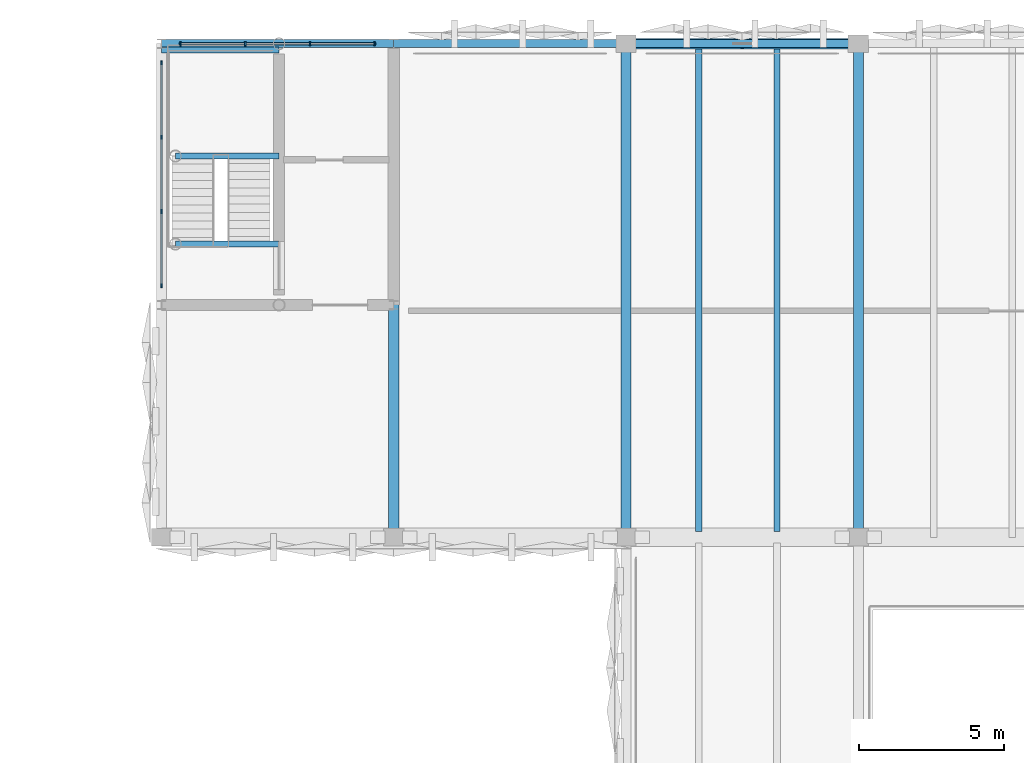
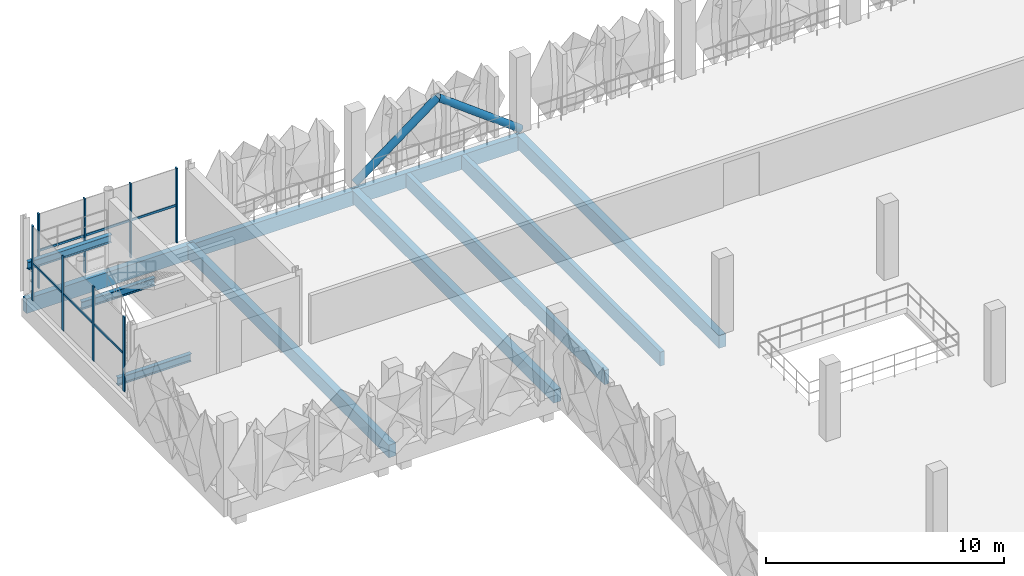
# One storey, part 9 of 52: 12 members, 11 beams, 2 elements without a shape of their own.
"""IFC4 building model written with IfcOpenShell, lengths in metres."""

from ifc_helpers import new_model, si_unit, derived_unit, direction, frame, origin, origin_2d, place, context, subcontext, project, spatial, rectangle, hollow_circle, i_section, extrude, material, layer, layer_set, material_profile, profile_set, type_object, element, aggregate, save


model = new_model("IFC4")

# Units and contexts
model_context = context("Model", 3, precision=1e-05, world=origin(), true_north=direction((0.0, 1.0)))
body_context = subcontext(model_context, "Body", "Model", "MODEL_VIEW")
ifc_project = project(units=[si_unit("LENGTHUNIT", "METRE"), si_unit("AREAUNIT", "SQUARE_METRE"), si_unit("VOLUMEUNIT", "CUBIC_METRE"), si_unit("PLANEANGLEUNIT", "RADIAN"), si_unit("MASSUNIT", "GRAM", prefix="KILO"), si_unit("THERMODYNAMICTEMPERATUREUNIT", "KELVIN"), derived_unit("THERMALTRANSMITTANCEUNIT", [(si_unit("POWERUNIT", "WATT"), 1), (si_unit("AREAUNIT", "SQUARE_METRE"), -1), (si_unit("THERMODYNAMICTEMPERATUREUNIT", "KELVIN"), -1)])], contexts=[model_context])

# Site, building, storey
site_placement = place(None, origin())
site = spatial("IfcSite", under=ifc_project, at=site_placement, CompositionType="ELEMENT")
building_placement = place(site_placement, origin())
building = spatial("IfcBuilding", under=site, at=building_placement, Name="Haiyu Intermodal Mobility Hub", CompositionType="ELEMENT")
storey_placement = place(building_placement, frame((0.0, 0.0, 21.199951171875)))
storey = spatial("IfcBuildingStorey", under=building, at=storey_placement, Name="L05", CompositionType="ELEMENT", Elevation=21.199951171875)

# Beams
ifc_material_1 = material(Name="Concrete C40", Category="concrete")
ifc_material_profile_1 = material_profile(ifc_material_1, rectangle(XDim=0.35009765625, YDim=0.64990234375, at=origin_2d()), Name="RCB350x650")
ifc_profile_set_1 = profile_set([ifc_material_profile_1], Name="Concrete C40")
beam_type_1 = type_object("IfcBeamType", Name="BM-CB04", PredefinedType="BEAM", material=ifc_profile_set_1)
for number, where, z_axis, x_axis, name in (
    (1, (30.0, 131.0, -0.599853515625), (0.0, 1.0, 0.0), (-1.0, 0.0, 0.0), "BM-V4E-L05-002"),
    (2, (38.0, 131.0, -0.599853515625), (0.0, 1.0, 0.0), (-1.0, 0.0, 0.0), "BM-V4E-L05-005"),
    (3, (46.0, 131.0, -0.599853515625), (0.0, 1.0, 0.0), (-1.0, 0.0, 0.0), "BM-V4E-L05-008"),
):
    element("IfcBeam", number, at=place(storey_placement, frame(where, z_axis=z_axis, x_axis=x_axis)), inside=storey, type_object=beam_type_1, Name=name, PredefinedType="BEAM", context=body_context, shape_type="SweptSolid", body=[
        extrude(rectangle(XDim=0.35009765625, YDim=0.64990234375, at=origin_2d()), origin(), (0.0, 0.0, 1.0), 17.0),
    ])
ifc_material_2 = material(Name="Precast concrete C50", Category="concrete")
ifc_material_profile_2 = material_profile(ifc_material_2, rectangle(XDim=0.219970703125, YDim=0.719970703125, at=origin_2d()), Name="PC220x720")
ifc_profile_set_2 = profile_set([ifc_material_profile_2], Name="Precast concrete C50")
beam_type_2 = type_object("IfcBeamType", Name="BM-DT02", PredefinedType="JOIST", material=ifc_profile_set_2)
for number, where, z_axis, x_axis, name in (
    (4, (40.5, 131.195068359375, -0.635009765625), (0.0, 1.0, 0.0), (-1.0, 0.0, 0.0), "BM-DT-L05-003"),
    (5, (43.199951171875, 131.195068359375, -0.635009765625), (0.0, 1.0, 0.0), (-1.0, 0.0, 0.0), "BM-DT-L05-006"),
):
    element("IfcBeam", number, at=place(storey_placement, frame(where, z_axis=z_axis, x_axis=x_axis)), inside=storey, type_object=beam_type_2, Name=name, PredefinedType="JOIST", context=body_context, shape_type="SweptSolid", body=[
        extrude(rectangle(XDim=0.219970703125, YDim=0.719970703125, at=origin_2d()), origin(), (0.0, 0.0, 1.0), 16.804931640625),
    ])
ifc_material_3 = material(Name="Steel Q355C", Category="steel")
ifc_material_profile_3 = material_profile(ifc_material_3, i_section(OverallWidth=0.199951171875, OverallDepth=0.39990234375, WebThickness=0.008056640625, FlangeThickness=0.012939453125, FilletRadius=0.01611328125, at=origin_2d()), Name="HN400x200x8x13")
ifc_profile_set_3 = profile_set([ifc_material_profile_3], Name="Steel Q355C")
beam_type_3 = type_object("IfcBeamType", Name="BM-SB08", PredefinedType="JOIST", material=ifc_profile_set_3)
for number, where, z_axis, x_axis, name in (
    (6, (22.47998046875, 141.10009765625, -0.52490234375), (1.0, 0.0, 0.0), (0.0, 1.0, 0.0), "Stair Arrival Trimmer Beam C3-L04"),
    (7, (22.47998046875, 144.1298828125, 1.525146484375), (1.0, 0.0, 0.0), (0.0, 1.0, 0.0), "Stair Half-Landing Front Beam C3-L05"),
):
    element("IfcBeam", number, at=place(storey_placement, frame(where, z_axis=z_axis, x_axis=x_axis)), inside=storey, type_object=beam_type_3, Name=name, PredefinedType="JOIST", context=body_context, shape_type="SweptSolid", body=[
        extrude(i_section(OverallWidth=0.199951171875, OverallDepth=0.39990234375, WebThickness=0.008056640625, FlangeThickness=0.012939453125, FilletRadius=0.01611328125, at=origin_2d()), origin(), (0.0, 0.0, 1.0), 3.570068359375),
    ])
beam_placement = place(storey_placement, frame((22.0, 147.780029296875, 1.525146484375), z_axis=(1.0, 0.0, 0.0), x_axis=(0.0, 1.0, 0.0)))
element("IfcBeam", 8, at=beam_placement, inside=storey, type_object=beam_type_3, Name="Stair Half-Landing Rear Beam C3-L05", PredefinedType="JOIST", context=body_context, shape_type="SweptSolid", body=[
    extrude(i_section(OverallWidth=0.199951171875, OverallDepth=0.39990234375, WebThickness=0.008056640625, FlangeThickness=0.012939453125, FilletRadius=0.01611328125, at=origin_2d()), origin(), (0.0, 0.0, 1.0), 4.050048828125),
])
ifc_material_4 = material(Name="Precast concrete C40", Category="concrete")
ifc_material_profile_4 = material_profile(ifc_material_4, rectangle(XDim=0.280029296875, YDim=0.739990234375, at=origin_2d()), Name="B280x740")
ifc_profile_set_4 = profile_set([ifc_material_profile_4], Name="Precast concrete C40")
beam_type_4 = type_object("IfcBeamType", Name="BM-SP05", PredefinedType="SPANDREL", material=ifc_profile_set_4)
for number, where, z_axis, x_axis, name in (
    (9, (22.0, 148.0, -0.64501953125), (1.0, 0.0, 0.0), (0.0, 1.0, 0.0), "BM-V4G-L05-041"),
    (10, (30.0, 148.0, -0.64501953125), (1.0, 0.0, 0.0), (0.0, 1.0, 0.0), "BM-V4G-L05-042"),
    (11, (38.0, 148.0, -0.64501953125), (1.0, 0.0, 0.0), (0.0, 1.0, 0.0), "BM-V4G-L05-043"),
):
    element("IfcBeam", number, at=place(storey_placement, frame(where, z_axis=z_axis, x_axis=x_axis)), inside=storey, type_object=beam_type_4, Name=name, PredefinedType="SPANDREL", context=body_context, shape_type="SweptSolid", body=[
        extrude(rectangle(XDim=0.280029296875, YDim=0.739990234375, at=origin_2d()), origin(), (0.0, 0.0, 1.0), 8.0),
    ])

# Curtain wall, members
ifc_material_5 = material(Name="Low-e laminated insulating glass", Category="glass")
ifc_layer = layer(ifc_material_5, 0.199951171875)
ifc_layer_set = layer_set([ifc_layer], Name="Low-e laminated insulating glass")
curtain_wall_type = type_object("IfcCurtainWallType", Name="CW-CW03", PredefinedType="NOTDEFINED", material=ifc_layer_set)
curtain_wall_1_placement = place(storey_placement, origin())
curtain_wall_1 = element("IfcCurtainWall", 12, at=curtain_wall_1_placement, inside=storey, type_object=curtain_wall_type, Name="Curtain Wall CW-C3N-L05-059", PredefinedType="NOTDEFINED")
ifc_material_6 = material(Name="Anodised aluminium 6063-T6", Category="aluminium")
ifc_material_profile_5 = material_profile(ifc_material_6, rectangle(XDim=0.06005859375, YDim=0.14501953125, at=origin_2d()), Name="ALU60x145")
ifc_profile_set_5 = profile_set([ifc_material_profile_5], Name="Anodised aluminium 6063-T6")
member_type_1 = type_object("IfcMemberType", Name="CWM-ML03", PredefinedType="MULLION", material=ifc_profile_set_5)
member_1_placement = place(storey_placement, frame((29.340087890625, 148.0, 0.0), z_axis=(0.0, 0.0, 1.0), x_axis=(1.0, 0.0, 0.0)))
member_1 = element("IfcMember", 13, at=member_1_placement, type_object=member_type_1, Name="CW-C3N-L05-059-ML01", PredefinedType="MULLION", context=body_context, shape_type="SweptSolid", body=[
    extrude(rectangle(XDim=0.06005859375, YDim=0.14501953125, at=origin_2d()), origin(), (0.0, 0.0, 1.0), 3.820068359375),
])
member_2_placement = place(storey_placement, frame((27.113037109375, 148.0, 0.0), z_axis=(0.0, 0.0, 1.0), x_axis=(1.0, 0.0, 0.0)))
member_2 = element("IfcMember", 14, at=member_2_placement, type_object=member_type_1, Name="CW-C3N-L05-059-ML02", PredefinedType="MULLION", context=body_context, shape_type="SweptSolid", body=[
    extrude(rectangle(XDim=0.06005859375, YDim=0.14501953125, at=origin_2d()), origin(), (0.0, 0.0, 1.0), 3.820068359375),
])
member_3_placement = place(storey_placement, frame((24.886962890625, 148.0, 0.0), z_axis=(0.0, 0.0, 1.0), x_axis=(1.0, 0.0, 0.0)))
member_3 = element("IfcMember", 15, at=member_3_placement, type_object=member_type_1, Name="CW-C3N-L05-059-ML03", PredefinedType="MULLION", context=body_context, shape_type="SweptSolid", body=[
    extrude(rectangle(XDim=0.06005859375, YDim=0.14501953125, at=origin_2d()), origin(), (0.0, 0.0, 1.0), 3.820068359375),
])
member_4_placement = place(storey_placement, frame((22.659912109375, 148.0, 0.0), z_axis=(0.0, 0.0, 1.0), x_axis=(1.0, 0.0, 0.0)))
member_4 = element("IfcMember", 16, at=member_4_placement, type_object=member_type_1, Name="CW-C3N-L05-059-ML04", PredefinedType="MULLION", context=body_context, shape_type="SweptSolid", body=[
    extrude(rectangle(XDim=0.06005859375, YDim=0.14501953125, at=origin_2d()), origin(), (0.0, 0.0, 1.0), 3.820068359375),
])

curtain_wall_2_placement = place(storey_placement, origin())
curtain_wall_2 = element("IfcCurtainWall", 17, at=curtain_wall_2_placement, inside=storey, type_object=curtain_wall_type, Name="Curtain Wall CW-C3S-L05-060", PredefinedType="NOTDEFINED")
member_5_placement = place(storey_placement, frame((22.0, 147.340087890625, 0.0), z_axis=(0.0, 0.0, 1.0), x_axis=(1.0, 0.0, 0.0)))
member_5 = element("IfcMember", 18, at=member_5_placement, type_object=member_type_1, Name="CW-C3S-L05-060-ML01", PredefinedType="MULLION", context=body_context, shape_type="SweptSolid", body=[
    extrude(rectangle(XDim=0.06005859375, YDim=0.14501953125, at=origin_2d()), origin(), (0.0, 0.0, 1.0), 3.820068359375),
])
member_6_placement = place(storey_placement, frame((22.0, 144.780029296875, 0.0), z_axis=(0.0, 0.0, 1.0), x_axis=(1.0, 0.0, 0.0)))
member_6 = element("IfcMember", 19, at=member_6_placement, type_object=member_type_1, Name="CW-C3S-L05-060-ML02", PredefinedType="MULLION", context=body_context, shape_type="SweptSolid", body=[
    extrude(rectangle(XDim=0.06005859375, YDim=0.14501953125, at=origin_2d()), origin(), (0.0, 0.0, 1.0), 3.820068359375),
])
member_7_placement = place(storey_placement, frame((22.0, 142.219970703125, 0.0), z_axis=(0.0, 0.0, 1.0), x_axis=(1.0, 0.0, 0.0)))
member_7 = element("IfcMember", 20, at=member_7_placement, type_object=member_type_1, Name="CW-C3S-L05-060-ML03", PredefinedType="MULLION", context=body_context, shape_type="SweptSolid", body=[
    extrude(rectangle(XDim=0.06005859375, YDim=0.14501953125, at=origin_2d()), origin(), (0.0, 0.0, 1.0), 3.820068359375),
])
member_8_placement = place(storey_placement, frame((22.0, 139.659912109375, 0.0), z_axis=(0.0, 0.0, 1.0), x_axis=(1.0, 0.0, 0.0)))
member_8 = element("IfcMember", 21, at=member_8_placement, type_object=member_type_1, Name="CW-C3S-L05-060-ML04", PredefinedType="MULLION", context=body_context, shape_type="SweptSolid", body=[
    extrude(rectangle(XDim=0.06005859375, YDim=0.14501953125, at=origin_2d()), origin(), (0.0, 0.0, 1.0), 3.820068359375),
])

# Member
ifc_material_profile_6 = material_profile(ifc_material_6, rectangle(XDim=0.06005859375, YDim=0.114990234375, at=origin_2d()), Name="ALU60x115")
ifc_profile_set_6 = profile_set([ifc_material_profile_6], Name="Anodised aluminium 6063-T6")
member_type_2 = type_object("IfcMemberType", Name="CWM-TR03", PredefinedType="USERDEFINED", material=ifc_profile_set_6)
member_9_placement = place(storey_placement, frame((29.3798828125, 148.0, 1.91015625), z_axis=(-1.0, 0.0, 0.0), x_axis=(0.0, -1.0, 0.0)))
member_9 = element("IfcMember", 22, at=member_9_placement, type_object=member_type_2, Name="CW-C3N-L05-059-TR01", ObjectType="TRANSOM", PredefinedType="USERDEFINED", context=body_context, shape_type="SweptSolid", body=[
    extrude(rectangle(XDim=0.06005859375, YDim=0.114990234375, at=origin_2d()), origin(), (0.0, 0.0, 1.0), 6.759765625),
])

aggregate(curtain_wall_1, [member_1, member_2, member_3, member_4, member_9])

member_10_placement = place(storey_placement, frame((22.0, 147.3798828125, 1.91015625), z_axis=(0.0, -1.0, 0.0), x_axis=(1.0, 0.0, 0.0)))
member_10 = element("IfcMember", 23, at=member_10_placement, type_object=member_type_2, Name="CW-C3S-L05-060-TR01", ObjectType="TRANSOM", PredefinedType="USERDEFINED", context=body_context, shape_type="SweptSolid", body=[
    extrude(rectangle(XDim=0.06005859375, YDim=0.114990234375, at=origin_2d()), origin(), (0.0, 0.0, 1.0), 7.759765625),
])

aggregate(curtain_wall_2, [member_5, member_6, member_7, member_8, member_10])

# Members
ifc_material_profile_7 = material_profile(ifc_material_3, hollow_circle(Radius=0.177978515625, WallThickness=0.011962890625, at=origin_2d()), Name="CHS356x12")
ifc_profile_set_7 = profile_set([ifc_material_profile_7], Name="Steel Q355C")
member_type_3 = type_object("IfcMemberType", Name="MEM-BR01", PredefinedType="BRACE", material=ifc_profile_set_7)
for number, where, z_axis, x_axis, name in (
    (24, (38.0, 148.0, 0.0), (0.8, 0.0, 0.6), (0.0, 1.0, 0.0), "Seismic Chevron Brace B1-L05-A"),
    (25, (46.0, 148.0, 0.0), (-0.8, 0.0, 0.6), (0.0, -1.0, 0.0), "Seismic Chevron Brace B1-L05-B"),
):
    element("IfcMember", number, at=place(storey_placement, frame(where, z_axis=z_axis, x_axis=x_axis)), inside=storey, type_object=member_type_3, Name=name, PredefinedType="BRACE", context=body_context, shape_type="SweptSolid", body=[
        extrude(hollow_circle(Radius=0.177978515625, WallThickness=0.011962890625, at=origin_2d()), origin(), (0.0, 0.0, 1.0), 5.0),
    ])

save(model, "model.ifc")
